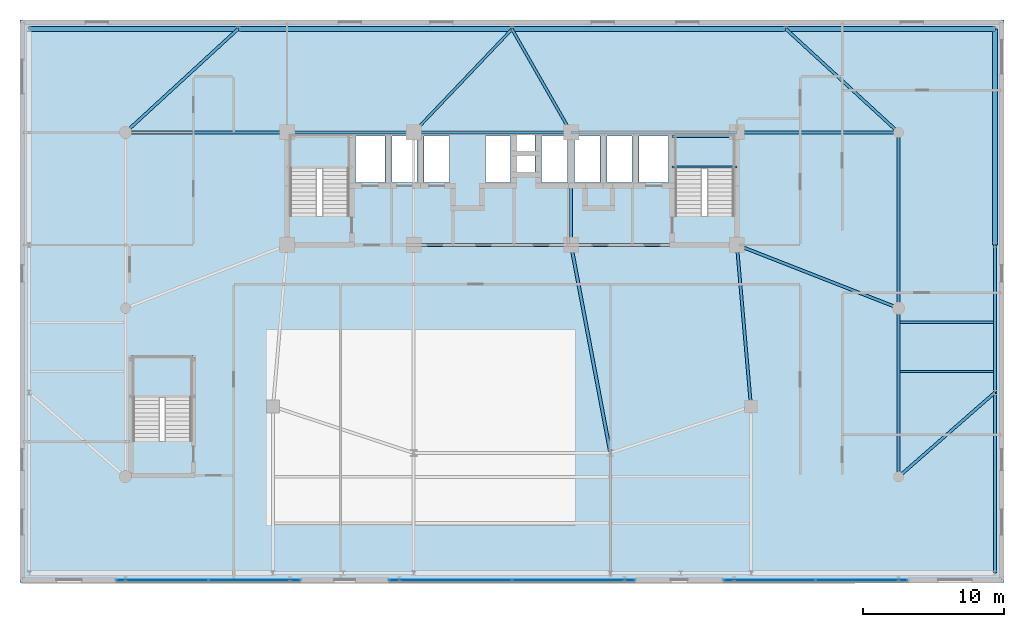
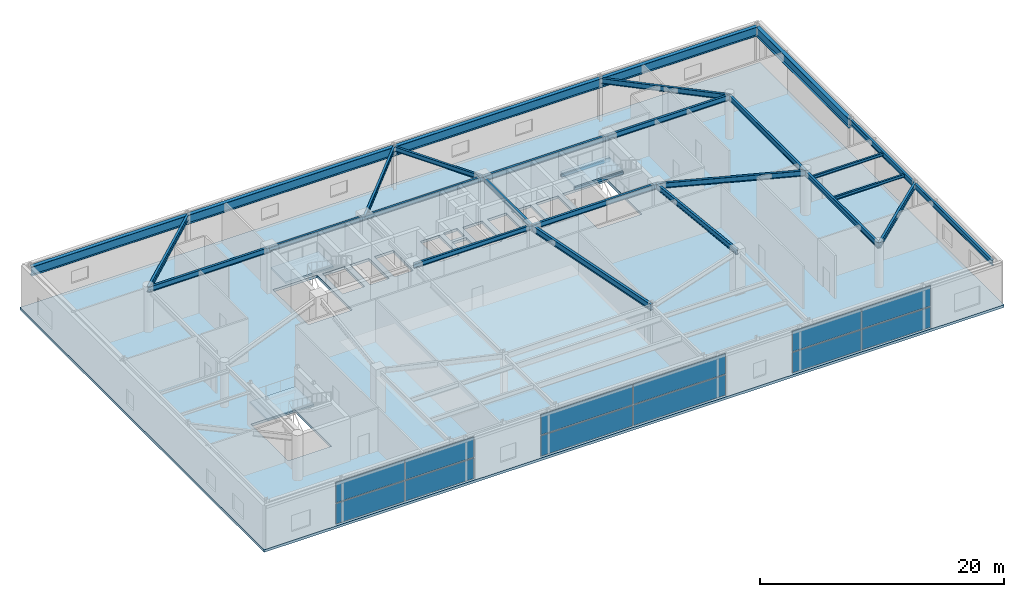
# One storey, part 19 of 26: 29 beams, 12 plates, 4 slabs, 9 elements without a shape of their own.
"""IFC4 building model written with IfcOpenShell, lengths in metres."""

from ifc_helpers import new_model, si_unit, direction, frame, origin, origin_2d, place, context, subcontext, project, spatial, polyline, rectangle, hollow_rectangle, i_section, outline, extrude, source, transform, mapped, material, layer, layer_set, material_profile, profile_set, type_object, element, aggregate, save


model = new_model("IFC4")

# Units and contexts
model_context = context("Model", 3, precision=1e-05, world=origin(), true_north=direction((0.0, 1.0)))
body_context = subcontext(model_context, "Body", "Model", "MODEL_VIEW")
ifc_project = project(units=[si_unit("LENGTHUNIT", "METRE"), si_unit("AREAUNIT", "SQUARE_METRE"), si_unit("VOLUMEUNIT", "CUBIC_METRE"), si_unit("PLANEANGLEUNIT", "RADIAN"), si_unit("MASSUNIT", "GRAM", prefix="KILO")], contexts=[model_context])

# Site, building, storey
site_placement = place(None, origin())
site = spatial("IfcSite", under=ifc_project, at=site_placement, CompositionType="ELEMENT")
building_placement = place(site_placement, origin())
building = spatial("IfcBuilding", under=site, at=building_placement, Name="Taldren Reach Tower", CompositionType="ELEMENT")
storey_placement = place(building_placement, frame((0.0, 0.0, 8.39990234375)))
storey = spatial("IfcBuildingStorey", under=building, at=storey_placement, Name="L02", CompositionType="ELEMENT", Elevation=8.39990234375)

# Beams
ifc_material_1 = material(Name="Steel Gr 350 (350PLUS)", Category="steel")
ifc_material_profile_1 = material_profile(ifc_material_1, i_section(OverallWidth=0.19091796875, OverallDepth=0.4599609375, WebThickness=0.010009765625, FlangeThickness=0.01611328125, at=origin_2d()), Name="460UB82.1")
ifc_profile_set_1 = profile_set([ifc_material_profile_1], Name="Steel Gr 350 (350PLUS)")
beam_type_1 = type_object("IfcBeamType", Name="BM-UB460A", PredefinedType="BEAM", material=ifc_profile_set_1)
shared_shape_1 = source(origin(), body_context, "Body", "SweptSolid", [
    extrude(i_section(OverallWidth=0.19091796875, OverallDepth=0.4599609375, WebThickness=0.010009765625, FlangeThickness=0.01611328125, at=origin_2d()), origin(), (0.0, 0.0, 1.0), 9.0),
])
beam_1_placement = place(storey_placement, frame((19.0, 32.0, 4.06005859375), z_axis=(1.0, 0.0, 0.0), x_axis=(0.0, 1.0, 0.0)))
element("IfcBeam", 1, at=beam_1_placement, inside=storey, type_object=beam_type_1, Name="Core-spine girder L02-SP04", PredefinedType="BEAM", context=body_context, shape_type="MappedRepresentation", body=[
    mapped(shared_shape_1, transform((0.0, 0.0, 0.0), scale=1.0)),
])
shared_shape_2 = source(origin(), body_context, "Body", "SweptSolid", [
    extrude(i_section(OverallWidth=0.19091796875, OverallDepth=0.4599609375, WebThickness=0.010009765625, FlangeThickness=0.01611328125, at=origin_2d()), origin(), (0.0, 0.0, 1.0), 11.199951171875),
])
for number, where, z_axis, x_axis, name in (
    (2, (28.0, 24.0, 4.06005859375), (1.0, 0.0, 0.0), (0.0, 1.0, 0.0), "Core-spine girder L02-SP02"),
    (3, (28.0, 32.0, 4.06005859375), (1.0, 0.0, 0.0), (0.0, 1.0, 0.0), "Core-spine girder L02-SP05"),
):
    element("IfcBeam", number, at=place(storey_placement, frame(where, z_axis=z_axis, x_axis=x_axis)), inside=storey, type_object=beam_type_1, Name=name, PredefinedType="BEAM", context=body_context, shape_type="MappedRepresentation", body=[
        mapped(shared_shape_2, transform((0.0, 0.0, 0.0), scale=1.0)),
    ])
ifc_material_profile_2 = material_profile(ifc_material_1, i_section(OverallWidth=0.208984375, OverallDepth=0.532958984375, WebThickness=0.01025390625, FlangeThickness=0.015625, at=origin_2d()), Name="530UB92.4")
ifc_profile_set_2 = profile_set([ifc_material_profile_2], Name="Steel Gr 350 (350PLUS)")
beam_type_2 = type_object("IfcBeamType", Name="BM-UB530A", PredefinedType="BEAM", material=ifc_profile_set_2)
shared_shape_3 = source(origin(), body_context, "Body", "SweptSolid", [
    extrude(i_section(OverallWidth=0.208984375, OverallDepth=0.532958984375, WebThickness=0.01025390625, FlangeThickness=0.015625, at=origin_2d()), origin(), (0.0, 0.0, 1.0), 11.800048828125),
])
for number, where, z_axis, x_axis, name in (
    (4, (39.199951171875, 24.0, 4.023681640625), (1.0, 0.0, 0.0), (0.0, 1.0, 0.0), "Core-spine girder L02-SP03"),
    (5, (39.199951171875, 32.0, 4.023681640625), (1.0, 0.0, 0.0), (0.0, 1.0, 0.0), "Core-spine girder L02-SP06"),
):
    element("IfcBeam", number, at=place(storey_placement, frame(where, z_axis=z_axis, x_axis=x_axis)), inside=storey, type_object=beam_type_2, Name=name, PredefinedType="BEAM", context=body_context, shape_type="MappedRepresentation", body=[
        mapped(shared_shape_3, transform((0.0, 0.0, 0.0), scale=1.0)),
    ])
shared_shape_4 = source(origin(), body_context, "Body", "SweptSolid", [
    extrude(i_section(OverallWidth=0.19091796875, OverallDepth=0.4599609375, WebThickness=0.010009765625, FlangeThickness=0.01611328125, at=origin_2d()), origin(), (0.0, 0.0, 1.0), 8.0),
])
beam_2_placement = place(storey_placement, frame((39.199951171875, 24.0, 4.06005859375), z_axis=(0.0, 1.0, 0.0), x_axis=(-1.0, 0.0, 0.0)))
element("IfcBeam", 6, at=beam_2_placement, inside=storey, type_object=beam_type_1, Name="Core-spine girder L02-SP08", PredefinedType="BEAM", context=body_context, shape_type="MappedRepresentation", body=[
    mapped(shared_shape_4, transform((0.0, 0.0, 0.0), scale=1.0)),
])
shared_shape_5 = source(origin(), body_context, "Body", "SweptSolid", [
    extrude(i_section(OverallWidth=0.208984375, OverallDepth=0.532958984375, WebThickness=0.01025390625, FlangeThickness=0.015625, at=origin_2d()), origin(), (0.0, 0.0, 1.0), 11.54345703125),
])
beam_3_placement = place(storey_placement, frame((52.0, 12.5, 4.023681640625), z_axis=(-0.086629616365, 0.996240588196, 0.0), x_axis=(-0.996240588196, -0.086629616365, 0.0)))
element("IfcBeam", 7, at=beam_3_placement, inside=storey, type_object=beam_type_2, Name="Core-spine girder L02-SP13", PredefinedType="BEAM", context=body_context, shape_type="MappedRepresentation", body=[
    mapped(shared_shape_5, transform((0.0, 0.0, 0.0), scale=1.0)),
])
ifc_material_profile_3 = material_profile(ifc_material_1, i_section(OverallWidth=0.22802734375, OverallDepth=0.60205078125, WebThickness=0.010498046875, FlangeThickness=0.014892578125, at=origin_2d()), Name="610UB101")
ifc_profile_set_3 = profile_set([ifc_material_profile_3], Name="Steel Gr 350 (350PLUS)")
beam_type_3 = type_object("IfcBeamType", Name="BM-UB610B", PredefinedType="BEAM", material=ifc_profile_set_3)
shared_shape_6 = source(origin(), body_context, "Body", "SweptSolid", [
    extrude(i_section(OverallWidth=0.22802734375, OverallDepth=0.60205078125, WebThickness=0.010498046875, FlangeThickness=0.014892578125, at=origin_2d()), origin(), (0.0, 0.0, 1.0), 15.0625),
])
beam_4_placement = place(storey_placement, frame((39.199951171875, 24.0, 3.989013671875), z_axis=(0.185894205668, -0.982569765614, 0.0), x_axis=(0.982569765614, 0.185894205668, 0.0)))
element("IfcBeam", 8, at=beam_4_placement, inside=storey, type_object=beam_type_3, Name="Core-spine girder L02-SP15", PredefinedType="BEAM", context=body_context, shape_type="MappedRepresentation", body=[
    mapped(shared_shape_6, transform((0.0, 0.0, 0.0), scale=1.0)),
])
ifc_material_profile_4 = material_profile(ifc_material_1, i_section(OverallWidth=0.35009765625, OverallDepth=0.916015625, WebThickness=0.013916015625, FlangeThickness=0.028076171875, at=origin_2d()), Name="900WB257")
ifc_profile_set_4 = profile_set([ifc_material_profile_4], Name="Steel Gr 350 (350PLUS)")
beam_type_4 = type_object("IfcBeamType", Name="BM-WB900", PredefinedType="BEAM", material=ifc_profile_set_4)
shared_shape_7 = source(origin(), body_context, "Body", "SweptSolid", [
    extrude(i_section(OverallWidth=0.35009765625, OverallDepth=0.916015625, WebThickness=0.013916015625, FlangeThickness=0.028076171875, at=origin_2d()), origin(), (0.0, 0.0, 1.0), 14.85009765625),
])
for number, where, z_axis, x_axis, name in (
    (9, (0.64990234375, 39.35009765625, 3.83203125), (1.0, 0.0, 0.0), (0.0, 1.0, 0.0), "Podium girder L02-PD08"),
    (10, (54.5, 39.35009765625, 3.83203125), (1.0, 0.0, 0.0), (0.0, 1.0, 0.0), "Podium girder L02-PD11"),
):
    element("IfcBeam", number, at=place(storey_placement, frame(where, z_axis=z_axis, x_axis=x_axis)), inside=storey, type_object=beam_type_4, Name=name, PredefinedType="BEAM", context=body_context, shape_type="MappedRepresentation", body=[
        mapped(shared_shape_7, transform((0.0, 0.0, 0.0), scale=1.0)),
    ])
shared_shape_8 = source(origin(), body_context, "Body", "SweptSolid", [
    extrude(i_section(OverallWidth=0.35009765625, OverallDepth=0.916015625, WebThickness=0.013916015625, FlangeThickness=0.028076171875, at=origin_2d()), origin(), (0.0, 0.0, 1.0), 19.5),
])
for number, where, z_axis, x_axis, name in (
    (11, (15.5, 39.35009765625, 3.83203125), (1.0, 0.0, 0.0), (0.0, 1.0, 0.0), "Podium girder L02-PD09"),
    (12, (35.0, 39.35009765625, 3.83203125), (1.0, 0.0, 0.0), (0.0, 1.0, 0.0), "Podium girder L02-PD10"),
):
    element("IfcBeam", number, at=place(storey_placement, frame(where, z_axis=z_axis, x_axis=x_axis)), inside=storey, type_object=beam_type_4, Name=name, PredefinedType="BEAM", context=body_context, shape_type="MappedRepresentation", body=[
        mapped(shared_shape_8, transform((0.0, 0.0, 0.0), scale=1.0)),
    ])
ifc_material_profile_5 = material_profile(ifc_material_1, i_section(OverallWidth=0.208984375, OverallDepth=0.528076171875, WebThickness=0.009521484375, FlangeThickness=0.01318359375, at=origin_2d()), Name="530UB82.0")
ifc_profile_set_5 = profile_set([ifc_material_profile_5], Name="Steel Gr 350 (350PLUS)")
beam_type_5 = type_object("IfcBeamType", Name="SP-UB530B", PredefinedType="SPANDREL", material=ifc_profile_set_5)
shared_shape_9 = source(origin(), body_context, "Body", "SweptSolid", [
    extrude(i_section(OverallWidth=0.208984375, OverallDepth=0.528076171875, WebThickness=0.009521484375, FlangeThickness=0.01318359375, at=origin_2d()), origin(), (0.0, 0.0, 1.0), 12.85009765625),
])
beam_5_placement = place(storey_placement, frame((69.35009765625, 0.64990234375, 4.026123046875), z_axis=(0.0, 1.0, 0.0), x_axis=(-1.0, 0.0, 0.0)))
element("IfcBeam", 13, at=beam_5_placement, inside=storey, type_object=beam_type_5, Name="Podium beam L02-PD15", PredefinedType="SPANDREL", context=body_context, shape_type="MappedRepresentation", body=[
    mapped(shared_shape_9, transform((0.0, 0.0, 0.0), scale=1.0)),
])
shared_shape_10 = source(origin(), body_context, "Body", "SweptSolid", [
    extrude(i_section(OverallWidth=0.208984375, OverallDepth=0.528076171875, WebThickness=0.009521484375, FlangeThickness=0.01318359375, at=origin_2d()), origin(), (0.0, 0.0, 1.0), 10.5),
])
beam_6_placement = place(storey_placement, frame((69.35009765625, 13.5, 4.026123046875), z_axis=(0.0, 1.0, 0.0), x_axis=(-1.0, 0.0, 0.0)))
element("IfcBeam", 14, at=beam_6_placement, inside=storey, type_object=beam_type_5, Name="Podium beam L02-PD16", PredefinedType="SPANDREL", context=body_context, shape_type="MappedRepresentation", body=[
    mapped(shared_shape_10, transform((0.0, 0.0, 0.0), scale=1.0)),
])
shared_shape_11 = source(origin(), body_context, "Body", "SweptSolid", [
    extrude(i_section(OverallWidth=0.35009765625, OverallDepth=0.916015625, WebThickness=0.013916015625, FlangeThickness=0.028076171875, at=origin_2d()), origin(), (0.0, 0.0, 1.0), 15.35009765625),
])
beam_7_placement = place(storey_placement, frame((69.35009765625, 24.0, 3.83203125), z_axis=(0.0, 1.0, 0.0), x_axis=(-1.0, 0.0, 0.0)))
element("IfcBeam", 15, at=beam_7_placement, inside=storey, type_object=beam_type_4, Name="Podium girder L02-PD17", PredefinedType="BEAM", context=body_context, shape_type="MappedRepresentation", body=[
    mapped(shared_shape_11, transform((0.0, 0.0, 0.0), scale=1.0)),
])
shared_shape_12 = source(origin(), body_context, "Body", "SweptSolid", [
    extrude(i_section(OverallWidth=0.208984375, OverallDepth=0.532958984375, WebThickness=0.01025390625, FlangeThickness=0.015625, at=origin_2d()), origin(), (0.0, 0.0, 1.0), 9.106201171875),
])
beam_8_placement = place(storey_placement, frame((69.35009765625, 13.5, 4.023681640625), z_axis=(-0.75224111342, -0.658887932262, 0.0), x_axis=(0.658887932262, -0.75224111342, 0.0)))
element("IfcBeam", 16, at=beam_8_placement, inside=storey, type_object=beam_type_2, Name="Podium beam L02-PD26", PredefinedType="BEAM", context=body_context, shape_type="MappedRepresentation", body=[
    mapped(shared_shape_12, transform((0.0, 0.0, 0.0), scale=1.0)),
])
shared_shape_13 = source(origin(), body_context, "Body", "SweptSolid", [
    extrude(i_section(OverallWidth=0.208984375, OverallDepth=0.532958984375, WebThickness=0.01025390625, FlangeThickness=0.015625, at=origin_2d()), origin(), (0.0, 0.0, 1.0), 12.0),
])
beam_9_placement = place(storey_placement, frame((62.5, 7.5, 4.023681640625), z_axis=(0.0, 1.0, 0.0), x_axis=(-1.0, 0.0, 0.0)))
element("IfcBeam", 17, at=beam_9_placement, inside=storey, type_object=beam_type_2, Name="Podium beam L02-PD27", PredefinedType="BEAM", context=body_context, shape_type="MappedRepresentation", body=[
    mapped(shared_shape_13, transform((0.0, 0.0, 0.0), scale=1.0)),
])
shared_shape_14 = source(origin(), body_context, "Body", "SweptSolid", [
    extrude(i_section(OverallWidth=0.208984375, OverallDepth=0.532958984375, WebThickness=0.01025390625, FlangeThickness=0.015625, at=origin_2d()), origin(), (0.0, 0.0, 1.0), 12.5),
])
beam_10_placement = place(storey_placement, frame((62.5, 19.5, 4.023681640625), z_axis=(0.0, 1.0, 0.0), x_axis=(-1.0, 0.0, 0.0)))
element("IfcBeam", 18, at=beam_10_placement, inside=storey, type_object=beam_type_2, Name="Podium beam L02-PD28", PredefinedType="BEAM", context=body_context, shape_type="MappedRepresentation", body=[
    mapped(shared_shape_14, transform((0.0, 0.0, 0.0), scale=1.0)),
])
shared_shape_15 = source(origin(), body_context, "Body", "SweptSolid", [
    extrude(i_section(OverallWidth=0.208984375, OverallDepth=0.532958984375, WebThickness=0.01025390625, FlangeThickness=0.015625, at=origin_2d()), origin(), (0.0, 0.0, 1.0), 10.86376953125),
])
for number, where, z_axis, x_axis, name in (
    (19, (7.5, 32.0, 4.023681640625), (0.736385012576, 0.676562719379, 0.0), (-0.676562719379, 0.736385012576, 0.0), "Podium beam L02-PD21"),
    (20, (62.5, 32.0, 4.023681640625), (-0.736385012576, 0.676562719379, 0.0), (-0.676562719379, -0.736385012576, 0.0), "Podium beam L02-PD29"),
):
    element("IfcBeam", number, at=place(storey_placement, frame(where, z_axis=z_axis, x_axis=x_axis)), inside=storey, type_object=beam_type_2, Name=name, PredefinedType="BEAM", context=body_context, shape_type="MappedRepresentation", body=[
        mapped(shared_shape_15, transform((0.0, 0.0, 0.0), scale=1.0)),
    ])
shared_shape_16 = source(origin(), body_context, "Body", "SweptSolid", [
    extrude(i_section(OverallWidth=0.208984375, OverallDepth=0.532958984375, WebThickness=0.01025390625, FlangeThickness=0.015625, at=origin_2d()), origin(), (0.0, 0.0, 1.0), 12.34912109375),
])
beam_11_placement = place(storey_placement, frame((51.0, 24.0, 4.023681640625), z_axis=(0.931242779706, -0.364399348581, 0.0), x_axis=(0.364399348581, 0.931242779706, 0.0)))
element("IfcBeam", 21, at=beam_11_placement, inside=storey, type_object=beam_type_2, Name="Podium beam L02-PD32", PredefinedType="BEAM", context=body_context, shape_type="MappedRepresentation", body=[
    mapped(shared_shape_16, transform((0.0, 0.0, 0.0), scale=1.0)),
])
shared_shape_17 = source(origin(), body_context, "Body", "SweptSolid", [
    extrude(i_section(OverallWidth=0.208984375, OverallDepth=0.532958984375, WebThickness=0.01025390625, FlangeThickness=0.015625, at=origin_2d()), origin(), (0.0, 0.0, 1.0), 11.5),
])
for number, where, z_axis, x_axis, name in (
    (22, (7.5, 32.0, 4.023681640625), (1.0, 0.0, 0.0), (0.0, 1.0, 0.0), "Podium beam L02-PD31"),
    (23, (51.0, 32.0, 4.023681640625), (1.0, 0.0, 0.0), (0.0, 1.0, 0.0), "Podium beam L02-PD33"),
):
    element("IfcBeam", number, at=place(storey_placement, frame(where, z_axis=z_axis, x_axis=x_axis)), inside=storey, type_object=beam_type_2, Name=name, PredefinedType="BEAM", context=body_context, shape_type="MappedRepresentation", body=[
        mapped(shared_shape_17, transform((0.0, 0.0, 0.0), scale=1.0)),
    ])
shared_shape_18 = source(origin(), body_context, "Body", "SweptSolid", [
    extrude(i_section(OverallWidth=0.19091796875, OverallDepth=0.4599609375, WebThickness=0.010009765625, FlangeThickness=0.01611328125, at=origin_2d()), origin(), (0.0, 0.0, 1.0), 10.150146484375),
])
beam_12_placement = place(storey_placement, frame((28.0, 32.0, 4.06005859375), z_axis=(0.6896503675, 0.724142507113, 0.0), x_axis=(-0.724142507113, 0.6896503675, 0.0)))
element("IfcBeam", 24, at=beam_12_placement, inside=storey, type_object=beam_type_1, Name="Podium beam L02-PD34", PredefinedType="BEAM", context=body_context, shape_type="MappedRepresentation", body=[
    mapped(shared_shape_18, transform((0.0, 0.0, 0.0), scale=1.0)),
])
shared_shape_19 = source(origin(), body_context, "Body", "SweptSolid", [
    extrude(i_section(OverallWidth=0.19091796875, OverallDepth=0.4599609375, WebThickness=0.010009765625, FlangeThickness=0.01611328125, at=origin_2d()), origin(), (0.0, 0.0, 1.0), 8.46533203125),
])
beam_13_placement = place(storey_placement, frame((39.199951171875, 32.0, 4.06005859375), z_axis=(-0.496129620882, 0.86824846633, 0.0), x_axis=(-0.86824846633, -0.496129620882, 0.0)))
element("IfcBeam", 25, at=beam_13_placement, inside=storey, type_object=beam_type_1, Name="Podium beam L02-PD35", PredefinedType="BEAM", context=body_context, shape_type="MappedRepresentation", body=[
    mapped(shared_shape_19, transform((0.0, 0.0, 0.0), scale=1.0)),
])
ifc_material_2 = material(Name="Steel Gr 300 (300PLUS, 300 MPa)", Category="steel")
ifc_material_profile_6 = material_profile(ifc_material_2, i_section(OverallWidth=0.166015625, OverallDepth=0.306884765625, WebThickness=0.006591796875, FlangeThickness=0.01171875, at=origin_2d()), Name="310UB46.2")
ifc_profile_set_6 = profile_set([ifc_material_profile_6], Name="Steel Gr 300 (300PLUS, 300 MPa)")
beam_type_6 = type_object("IfcBeamType", Name="JS-UB310", PredefinedType="JOIST", material=ifc_profile_set_6)
shared_shape_20 = source(origin(), body_context, "Body", "SweptSolid", [
    extrude(i_section(OverallWidth=0.166015625, OverallDepth=0.306884765625, WebThickness=0.006591796875, FlangeThickness=0.01171875, at=origin_2d()), origin(), (0.0, 0.0, 1.0), 6.64111328125),
])
for number, where, z_axis, x_axis, name in (
    (26, (62.6044921875, 15.0, 4.13671875), (1.0, 0.0, 0.0), (0.0, 1.0, 0.0), "Podium wing floor joist L02-3.2"),
    (27, (62.6044921875, 18.5, 4.13671875), (1.0, 0.0, 0.0), (0.0, 1.0, 0.0), "Podium wing floor joist L02-4.2"),
):
    element("IfcBeam", number, at=place(storey_placement, frame(where, z_axis=z_axis, x_axis=x_axis)), inside=storey, type_object=beam_type_6, Name=name, PredefinedType="JOIST", context=body_context, shape_type="MappedRepresentation", body=[
        mapped(shared_shape_20, transform((0.0, 0.0, 0.0), scale=1.0)),
    ])
ifc_material_3 = material(Name="Steel Gr 350 (C350L0)", Category="steel")
ifc_material_profile_7 = material_profile(ifc_material_3, hollow_rectangle(XDim=0.14990234375, YDim=0.25, WallThickness=0.009033203125, at=origin_2d()), Name="250x150x9.0RHS")
ifc_profile_set_7 = profile_set([ifc_material_profile_7], Name="Steel Gr 350 (C350L0)")
beam_type_7 = type_object("IfcBeamType", Name="LN-RHS250", PredefinedType="LINTEL", material=ifc_profile_set_7)
shared_shape_21 = source(origin(), body_context, "Body", "SweptSolid", [
    extrude(hollow_rectangle(XDim=0.14990234375, YDim=0.25, WallThickness=0.009033203125, at=origin_2d()), origin(), (0.0, 0.0, 1.0), 4.60009765625),
])
for number, where, z_axis, x_axis, name in (
    (28, (46.39990234375, 29.550048828125, 1.97021484375), (1.0, 0.0, 0.0), (0.0, 1.0, 0.0), "Stair half-landing support beam ST2-L02-1"),
    (29, (46.39990234375, 31.699951171875, 1.97021484375), (1.0, 0.0, 0.0), (0.0, 1.0, 0.0), "Stair half-landing support beam ST2-L02-2"),
):
    element("IfcBeam", number, at=place(storey_placement, frame(where, z_axis=z_axis, x_axis=x_axis)), inside=storey, type_object=beam_type_7, Name=name, PredefinedType="LINTEL", context=body_context, shape_type="MappedRepresentation", body=[
        mapped(shared_shape_21, transform((0.0, 0.0, 0.0), scale=1.0)),
    ])

# Slab
ifc_material_4 = material(Name="Concrete S50 (50 MPa)", Category="concrete")
ifc_layer_1 = layer(ifc_material_4, 0.260009765625)
ifc_layer_set_1 = layer_set([ifc_layer_1], Name="Concrete S50 (50 MPa)")
slab_type_1 = type_object("IfcSlabType", Name="SL-FLR-260", PredefinedType="FLOOR", material=ifc_layer_set_1)
slab_1_placement = place(storey_placement, frame((0.0, 0.0, -0.260009765625)))
element("IfcSlab", 30, at=slab_1_placement, inside=storey, type_object=slab_type_1, Name="Suspended floor slab L02", PredefinedType="FLOOR", context=body_context, shape_type="SweptSolid", body=[
    extrude(outline(polyline([(0.0, 0.0), (70.0, 0.0), (70.0, 40.0), (0.0, 40.0), (0.0, 0.0)]), holes=[polyline([(19.219970703125, 26.050048828125), (23.3798828125, 26.050048828125), (23.3798828125, 31.820068359375), (19.219970703125, 31.820068359375), (19.219970703125, 26.050048828125)]), polyline([(46.6201171875, 26.050048828125), (50.780029296875, 26.050048828125), (50.780029296875, 31.820068359375), (46.6201171875, 31.820068359375), (46.6201171875, 26.050048828125)]), polyline([(8.050048828125, 10.050048828125), (12.18994140625, 10.050048828125), (12.18994140625, 16.080078125), (8.050048828125, 16.080078125), (8.050048828125, 10.050048828125)]), polyline([(23.85009765625, 28.449951171875), (25.949951171875, 28.449951171875), (25.949951171875, 31.75), (23.85009765625, 31.75), (23.85009765625, 28.449951171875)]), polyline([(44.050048828125, 28.449951171875), (46.14990234375, 28.449951171875), (46.14990234375, 31.75), (44.050048828125, 31.75), (44.050048828125, 28.449951171875)]), polyline([(26.449951171875, 28.449951171875), (28.25, 28.449951171875), (28.25, 31.75), (26.449951171875, 31.75), (26.449951171875, 28.449951171875)]), polyline([(28.75, 28.449951171875), (30.550048828125, 28.449951171875), (30.550048828125, 31.75), (28.75, 31.75), (28.75, 28.449951171875)]), polyline([(33.10009765625, 28.449951171875), (34.89990234375, 28.449951171875), (34.89990234375, 31.75), (33.10009765625, 31.75), (33.10009765625, 28.449951171875)]), polyline([(37.10009765625, 28.449951171875), (38.949951171875, 28.449951171875), (38.949951171875, 31.75), (37.10009765625, 31.75), (37.10009765625, 28.449951171875)]), polyline([(39.449951171875, 28.449951171875), (41.25, 28.449951171875), (41.25, 31.75), (39.449951171875, 31.75), (39.449951171875, 28.449951171875)]), polyline([(41.75, 28.449951171875), (43.550048828125, 28.449951171875), (43.550048828125, 31.75), (41.75, 31.75), (41.75, 28.449951171875)]), polyline([(35.35009765625, 30.64990234375), (36.64990234375, 30.64990234375), (36.64990234375, 31.85009765625), (35.35009765625, 31.85009765625), (35.35009765625, 30.64990234375)]), polyline([(35.35009765625, 29.14990234375), (36.64990234375, 29.14990234375), (36.64990234375, 30.35009765625), (35.35009765625, 30.35009765625), (35.35009765625, 29.14990234375)])]), origin(), (0.0, 0.0, 1.0), 0.260009765625),
])

# Stair, slab
stair_type_1 = type_object("IfcStairType", Name="ST-HT-455", PredefinedType="HALF_TURN_STAIR", material=ifc_material_4)
stair_1_placement = place(storey_placement, origin())
stair_1 = element("IfcStair", 31, at=stair_1_placement, inside=storey, type_object=stair_type_1, Name="Fire-isolated exit stair ST1 L02", PredefinedType="HALF_TURN_STAIR")
ifc_layer_2 = layer(ifc_material_4, 0.179931640625)
ifc_layer_set_2 = layer_set([ifc_layer_2], Name="Concrete S50 (50 MPa)")
slab_type_2 = type_object("IfcSlabType", Name="SL-LAND-180", PredefinedType="LANDING", material=ifc_layer_set_2)
slab_2_placement = place(storey_placement, frame((0.0, 0.0, 2.09521484375)))
slab_2 = element("IfcSlab", 32, at=slab_2_placement, type_object=slab_type_2, Name="ST1 landing 1", PredefinedType="LANDING", context=body_context, shape_type="SweptSolid", body=[
    extrude(outline(polyline([(19.0400390625, 29.429931640625), (23.56005859375, 29.429931640625), (23.56005859375, 31.8701171875), (19.0400390625, 31.8701171875), (19.0400390625, 29.429931640625)])), origin(), (0.0, 0.0, 1.0), 0.179931640625),
])
aggregate(stair_1, [slab_2])

stair_2_placement = place(storey_placement, origin())
stair_2 = element("IfcStair", 33, at=stair_2_placement, inside=storey, type_object=stair_type_1, Name="Fire-isolated exit stair ST2 L02", PredefinedType="HALF_TURN_STAIR")
slab_3_placement = place(storey_placement, frame((0.0, 0.0, 2.09521484375)))
slab_3 = element("IfcSlab", 34, at=slab_3_placement, type_object=slab_type_2, Name="ST2 landing 1", PredefinedType="LANDING", context=body_context, shape_type="SweptSolid", body=[
    extrude(outline(polyline([(46.43994140625, 29.429931640625), (50.9599609375, 29.429931640625), (50.9599609375, 31.8701171875), (46.43994140625, 31.8701171875), (46.43994140625, 29.429931640625)])), origin(), (0.0, 0.0, 1.0), 0.179931640625),
])
aggregate(stair_2, [slab_3])

stair_type_2 = type_object("IfcStairType", Name="ST-HT-POD", PredefinedType="HALF_TURN_STAIR", material=ifc_material_4)
stair_3_placement = place(storey_placement, origin())
stair_3 = element("IfcStair", 35, at=stair_3_placement, inside=storey, type_object=stair_type_2, Name="Fire-isolated exit stair ST3 L02", PredefinedType="HALF_TURN_STAIR")
slab_4_placement = place(storey_placement, frame((0.0, 0.0, 2.09521484375)))
slab_4 = element("IfcSlab", 36, at=slab_4_placement, type_object=slab_type_2, Name="ST3 landing 1", PredefinedType="LANDING", context=body_context, shape_type="SweptSolid", body=[
    extrude(outline(polyline([(7.93994140625, 13.135009765625), (12.300048828125, 13.135009765625), (12.300048828125, 16.1298828125), (7.93994140625, 16.1298828125), (7.93994140625, 13.135009765625)])), origin(), (0.0, 0.0, 1.0), 0.179931640625),
])
aggregate(stair_3, [slab_4])

# Curtain wall, plates
ifc_material_5 = material(Name="Aluminium and Low-E Glass Unitised System", Category="aluminium")
ifc_layer_3 = layer(ifc_material_5, 0.159912109375)
ifc_layer_set_3 = layer_set([ifc_layer_3], Name="Aluminium and Low-E Glass Unitised System")
curtain_wall_type = type_object("IfcCurtainWallType", Name="CW-SYS-1", PredefinedType="NOTDEFINED", material=ifc_layer_set_3)
curtain_wall_1_placement = place(storey_placement, origin())
curtain_wall_1 = element("IfcCurtainWall", 37, at=curtain_wall_1_placement, inside=storey, type_object=curtain_wall_type, Name="Unitised curtain wall CW1-L02-S1", PredefinedType="NOTDEFINED")
ifc_material_6 = material(Name="Low-E Double Glazed IGU", Category="glass")
ifc_layer_4 = layer(ifc_material_6, 0.028076171875)
ifc_layer_set_4 = layer_set([ifc_layer_4], Name="Low-E Double Glazed IGU")
plate_type = type_object("IfcPlateType", Name="CW-PNL-IGU28", PredefinedType="CURTAIN_PANEL", material=ifc_layer_set_4)
shared_shape_22 = source(origin(), body_context, "Body", "SweptSolid", [
    extrude(rectangle(XDim=6.4951171875, YDim=0.028076171875, at=origin_2d()), origin(), (0.0, 0.0, 1.0), 2.02490234375),
])
plate_1_placement = place(storey_placement, frame((10.117431640625, 0.169921875, 0.06005859375), z_axis=(0.0, 0.0, 1.0), x_axis=(1.0, 0.0, 0.0)))
plate_1 = element("IfcPlate", 38, at=plate_1_placement, type_object=plate_type, Name="CW-1 panel 1.1", PredefinedType="CURTAIN_PANEL", context=body_context, shape_type="MappedRepresentation", body=[
    mapped(shared_shape_22, transform((0.0, 0.0, 0.0), scale=1.0)),
])
plate_2_placement = place(storey_placement, frame((16.6826171875, 0.169921875, 0.06005859375), z_axis=(0.0, 0.0, 1.0), x_axis=(1.0, 0.0, 0.0)))
plate_2 = element("IfcPlate", 39, at=plate_2_placement, type_object=plate_type, Name="CW-1 panel 2.1", PredefinedType="CURTAIN_PANEL", context=body_context, shape_type="MappedRepresentation", body=[
    mapped(shared_shape_22, transform((0.0, 0.0, 0.0), scale=1.0)),
])
aggregate(curtain_wall_1, [plate_1, plate_2])

curtain_wall_2_placement = place(storey_placement, origin())
curtain_wall_2 = element("IfcCurtainWall", 40, at=curtain_wall_2_placement, inside=storey, type_object=curtain_wall_type, Name="Unitised curtain wall CW1-L02-S1-T2", PredefinedType="NOTDEFINED")
plate_3_placement = place(storey_placement, frame((10.117431640625, 0.169921875, 2.205078125), z_axis=(0.0, 0.0, 1.0), x_axis=(1.0, 0.0, 0.0)))
plate_3 = element("IfcPlate", 41, at=plate_3_placement, type_object=plate_type, Name="CW-1 panel 1.1", PredefinedType="CURTAIN_PANEL", context=body_context, shape_type="MappedRepresentation", body=[
    mapped(shared_shape_22, transform((0.0, 0.0, 0.0), scale=1.0)),
])
plate_4_placement = place(storey_placement, frame((16.6826171875, 0.169921875, 2.205078125), z_axis=(0.0, 0.0, 1.0), x_axis=(1.0, 0.0, 0.0)))
plate_4 = element("IfcPlate", 42, at=plate_4_placement, type_object=plate_type, Name="CW-1 panel 2.1", PredefinedType="CURTAIN_PANEL", context=body_context, shape_type="MappedRepresentation", body=[
    mapped(shared_shape_22, transform((0.0, 0.0, 0.0), scale=1.0)),
])
aggregate(curtain_wall_2, [plate_3, plate_4])

curtain_wall_3_placement = place(storey_placement, origin())
curtain_wall_3 = element("IfcCurtainWall", 43, at=curtain_wall_3_placement, inside=storey, type_object=curtain_wall_type, Name="Unitised curtain wall CW1-L02-S3", PredefinedType="NOTDEFINED")
plate_5_placement = place(storey_placement, frame((53.3173828125, 0.169921875, 0.06005859375), z_axis=(0.0, 0.0, 1.0), x_axis=(1.0, 0.0, 0.0)))
plate_5 = element("IfcPlate", 44, at=plate_5_placement, type_object=plate_type, Name="CW-1 panel 1.1", PredefinedType="CURTAIN_PANEL", context=body_context, shape_type="MappedRepresentation", body=[
    mapped(shared_shape_22, transform((0.0, 0.0, 0.0), scale=1.0)),
])
plate_6_placement = place(storey_placement, frame((59.882568359375, 0.169921875, 0.06005859375), z_axis=(0.0, 0.0, 1.0), x_axis=(1.0, 0.0, 0.0)))
plate_6 = element("IfcPlate", 45, at=plate_6_placement, type_object=plate_type, Name="CW-1 panel 2.1", PredefinedType="CURTAIN_PANEL", context=body_context, shape_type="MappedRepresentation", body=[
    mapped(shared_shape_22, transform((0.0, 0.0, 0.0), scale=1.0)),
])
aggregate(curtain_wall_3, [plate_5, plate_6])

curtain_wall_4_placement = place(storey_placement, origin())
curtain_wall_4 = element("IfcCurtainWall", 46, at=curtain_wall_4_placement, inside=storey, type_object=curtain_wall_type, Name="Unitised curtain wall CW1-L02-S3-T2", PredefinedType="NOTDEFINED")
plate_7_placement = place(storey_placement, frame((53.3173828125, 0.169921875, 2.205078125), z_axis=(0.0, 0.0, 1.0), x_axis=(1.0, 0.0, 0.0)))
plate_7 = element("IfcPlate", 47, at=plate_7_placement, type_object=plate_type, Name="CW-1 panel 1.1", PredefinedType="CURTAIN_PANEL", context=body_context, shape_type="MappedRepresentation", body=[
    mapped(shared_shape_22, transform((0.0, 0.0, 0.0), scale=1.0)),
])
plate_8_placement = place(storey_placement, frame((59.882568359375, 0.169921875, 2.205078125), z_axis=(0.0, 0.0, 1.0), x_axis=(1.0, 0.0, 0.0)))
plate_8 = element("IfcPlate", 48, at=plate_8_placement, type_object=plate_type, Name="CW-1 panel 2.1", PredefinedType="CURTAIN_PANEL", context=body_context, shape_type="MappedRepresentation", body=[
    mapped(shared_shape_22, transform((0.0, 0.0, 0.0), scale=1.0)),
])
aggregate(curtain_wall_4, [plate_7, plate_8])

curtain_wall_5_placement = place(storey_placement, origin())
curtain_wall_5 = element("IfcCurtainWall", 49, at=curtain_wall_5_placement, inside=storey, type_object=curtain_wall_type, Name="Unitised curtain wall CW1-L02-S2", PredefinedType="NOTDEFINED")
shared_shape_23 = source(origin(), body_context, "Body", "SweptSolid", [
    extrude(rectangle(XDim=8.695068359375, YDim=0.028076171875, at=origin_2d()), origin(), (0.0, 0.0, 1.0), 2.02490234375),
])
plate_9_placement = place(storey_placement, frame((30.617431640625, 0.169921875, 0.06005859375), z_axis=(0.0, 0.0, 1.0), x_axis=(1.0, 0.0, 0.0)))
plate_9 = element("IfcPlate", 50, at=plate_9_placement, type_object=plate_type, Name="CW-1 panel 1.1", PredefinedType="CURTAIN_PANEL", context=body_context, shape_type="MappedRepresentation", body=[
    mapped(shared_shape_23, transform((0.0, 0.0, 0.0), scale=1.0)),
])
plate_10_placement = place(storey_placement, frame((39.382568359375, 0.169921875, 0.06005859375), z_axis=(0.0, 0.0, 1.0), x_axis=(1.0, 0.0, 0.0)))
plate_10 = element("IfcPlate", 51, at=plate_10_placement, type_object=plate_type, Name="CW-1 panel 2.1", PredefinedType="CURTAIN_PANEL", context=body_context, shape_type="MappedRepresentation", body=[
    mapped(shared_shape_23, transform((0.0, 0.0, 0.0), scale=1.0)),
])
aggregate(curtain_wall_5, [plate_9, plate_10])

curtain_wall_6_placement = place(storey_placement, origin())
curtain_wall_6 = element("IfcCurtainWall", 52, at=curtain_wall_6_placement, inside=storey, type_object=curtain_wall_type, Name="Unitised curtain wall CW1-L02-S2-T2", PredefinedType="NOTDEFINED")
plate_11_placement = place(storey_placement, frame((30.617431640625, 0.169921875, 2.205078125), z_axis=(0.0, 0.0, 1.0), x_axis=(1.0, 0.0, 0.0)))
plate_11 = element("IfcPlate", 53, at=plate_11_placement, type_object=plate_type, Name="CW-1 panel 1.1", PredefinedType="CURTAIN_PANEL", context=body_context, shape_type="MappedRepresentation", body=[
    mapped(shared_shape_23, transform((0.0, 0.0, 0.0), scale=1.0)),
])
plate_12_placement = place(storey_placement, frame((39.382568359375, 0.169921875, 2.205078125), z_axis=(0.0, 0.0, 1.0), x_axis=(1.0, 0.0, 0.0)))
plate_12 = element("IfcPlate", 54, at=plate_12_placement, type_object=plate_type, Name="CW-1 panel 2.1", PredefinedType="CURTAIN_PANEL", context=body_context, shape_type="MappedRepresentation", body=[
    mapped(shared_shape_23, transform((0.0, 0.0, 0.0), scale=1.0)),
])
aggregate(curtain_wall_6, [plate_11, plate_12])

save(model, "model.ifc")
